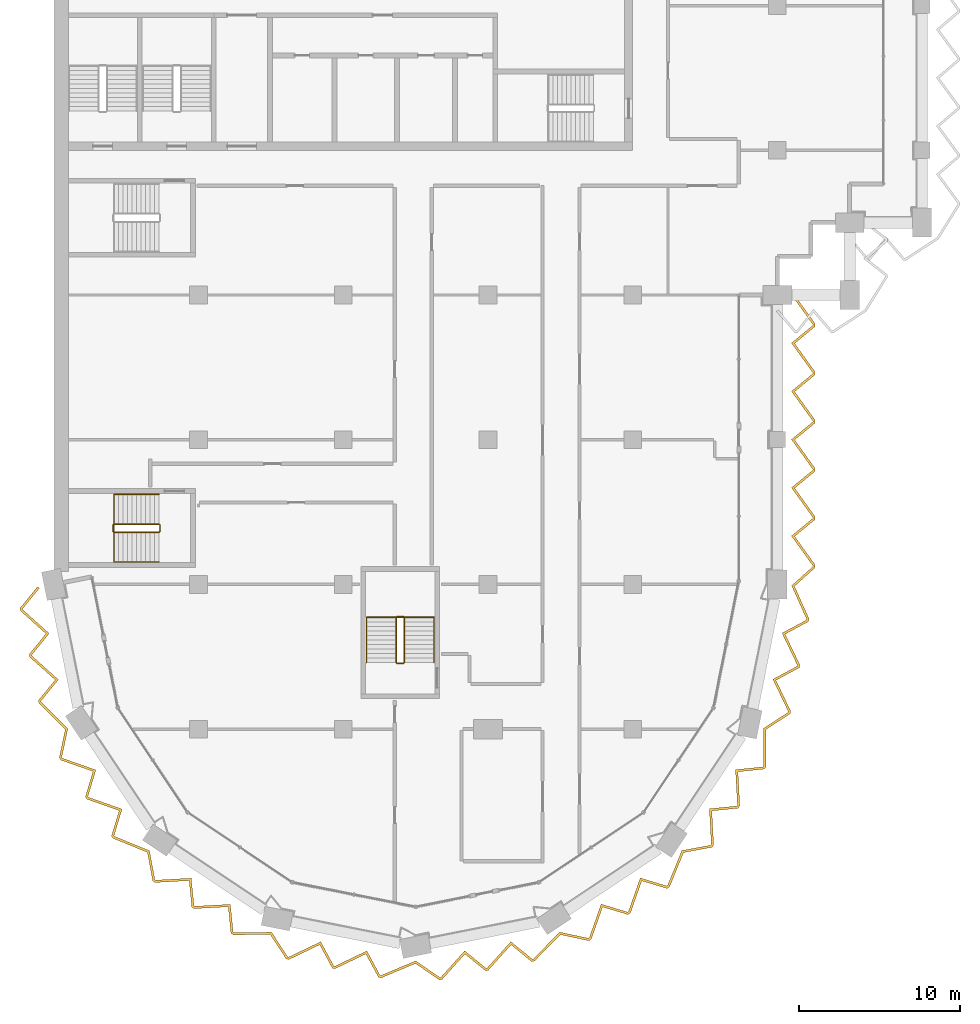
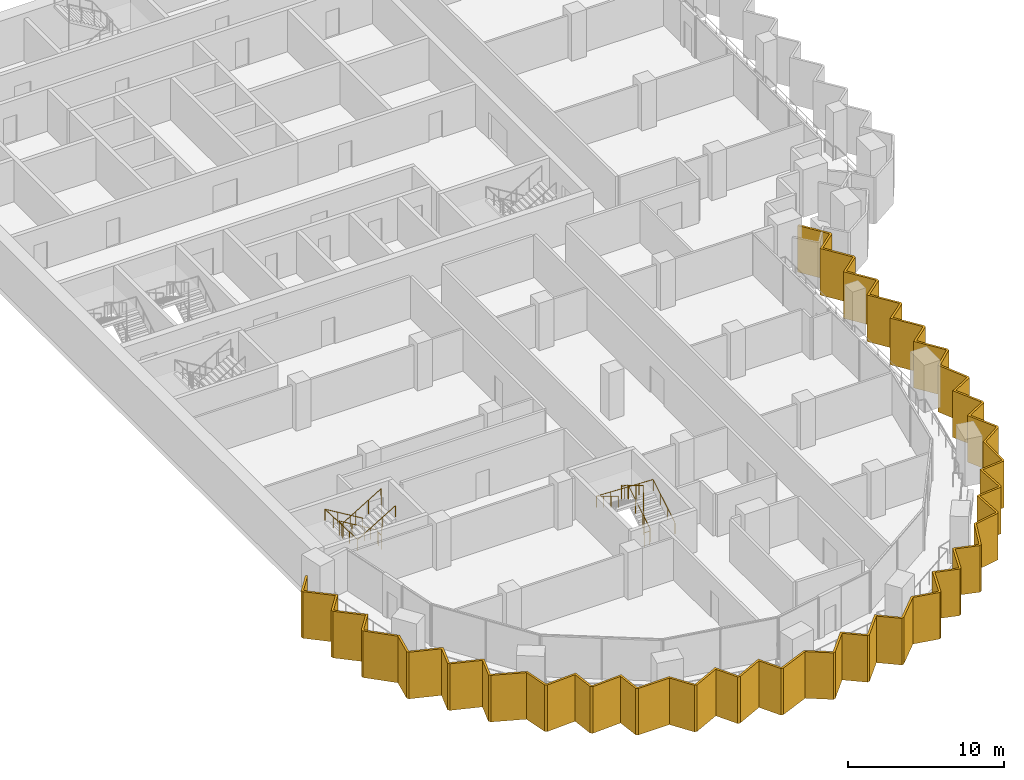
# One storey, part 14 of 17: 4 railings, 1 shading device.
"""IFC4 building model written with IfcOpenShell, lengths in metres."""

from ifc_helpers import new_model, si_unit, direction, frame, origin, origin_2d, place, context, subcontext, project, spatial, polyline, circle, outline, extrude, material, layer, layer_set, type_object, element, save


model = new_model("IFC4")

# Units and contexts
model_context = context("Model", 3, precision=1e-05, world=origin(), true_north=direction((0.0, 1.0)))
body_context = subcontext(model_context, "Body", "Model", "MODEL_VIEW")
ifc_project = project(units=[si_unit("LENGTHUNIT", "METRE"), si_unit("AREAUNIT", "SQUARE_METRE"), si_unit("VOLUMEUNIT", "CUBIC_METRE"), si_unit("PLANEANGLEUNIT", "RADIAN"), si_unit("MASSUNIT", "GRAM", prefix="KILO")], contexts=[model_context])

# Site, building, storey
site_placement = place(None, origin())
site = spatial("IfcSite", under=ifc_project, at=site_placement, CompositionType="ELEMENT")
building_placement = place(site_placement, origin())
building = spatial("IfcBuilding", under=site, at=building_placement, Name="Hunhe Ridgeline Campus", CompositionType="ELEMENT")
storey_placement = place(building_placement, frame((0.0, 0.0, 205.0)))
storey = spatial("IfcBuildingStorey", under=building, at=storey_placement, Name="L52", CompositionType="ELEMENT", Elevation=205.0)

# Shading device
ifc_material_1 = material(Name="Concrete C50", Category="concrete")
ifc_layer = layer(ifc_material_1, 0.14990234375)
ifc_layer_set = layer_set([ifc_layer], Name="Sawtooth concrete fin 150 Concrete C50")
shading_device_type = type_object("IfcShadingDeviceType", Name="Sawtooth concrete fin 150 Concrete C50", PredefinedType="USERDEFINED", material=ifc_layer_set)
shading_device_placement = place(storey_placement, frame((0.0, 0.0, -0.949951171875)))
element("IfcShadingDevice", 1, at=shading_device_placement, inside=storey, type_object=shading_device_type, Name="Concrete fin screen 1", ObjectType="FIN", PredefinedType="USERDEFINED", context=body_context, shape_type="SweptSolid", body=[
    extrude(outline(polyline([(-0.898193359375, 35.762451171875), (-1.014404296875, 35.857177734375), (-2.1025390625, 34.524169921875), (-2.0673828125, 34.347412109375), (-0.48876953125, 32.931640625), (-1.531494140625, 31.654052734375), (-1.496337890625, 31.477294921875), (0.082275390625, 30.0615234375), (-0.960693359375, 28.783935546875), (-0.92578125, 28.609130859375), (0.71240234375, 26.98486328125), (0.337158203125, 25.218505859375), (0.435302734375, 25.071533203125), (2.435302734375, 24.36767578125), (1.960693359375, 22.788330078125), (2.06103515625, 22.638427734375), (4.061279296875, 21.9345703125), (3.586669921875, 20.355224609375), (3.685546875, 20.20703125), (5.82080078125, 19.333251953125), (6.150146484375, 17.557861328125), (6.296875, 17.459716796875), (8.4140625, 17.574951171875), (8.580078125, 15.93408203125), (8.72998046875, 15.833984375), (10.847412109375, 15.948974609375), (11.01318359375, 14.308349609375), (11.16162109375, 14.209228515625), (13.468505859375, 14.218994140625), (14.4521484375, 12.704833984375), (14.625244140625, 12.67041015625), (16.537353515625, 13.5869140625), (17.318603515625, 12.134521484375), (17.495361328125, 12.099365234375), (19.407470703125, 13.01611328125), (20.188720703125, 11.563720703125), (20.363525390625, 11.52880859375), (22.4912109375, 12.4208984375), (23.9794921875, 11.398193359375), (24.152587890625, 11.4326171875), (25.568359375, 13.01123046875), (26.845947265625, 11.968505859375), (27.022705078125, 12.003662109375), (28.4384765625, 13.582275390625), (29.716064453125, 12.539306640625), (29.890869140625, 12.57421875), (31.51513671875, 14.21240234375), (33.281494140625, 13.837158203125), (33.428466796875, 13.935302734375), (34.13232421875, 15.935302734375), (35.711669921875, 15.460693359375), (35.861572265625, 15.56103515625), (36.5654296875, 17.561279296875), (38.144775390625, 17.086669921875), (38.29296875, 17.185546875), (39.166748046875, 19.32080078125), (40.942138671875, 19.650146484375), (41.040283203125, 19.796875), (40.925048828125, 21.9140625), (42.56591796875, 22.080078125), (42.666015625, 22.22998046875), (42.551025390625, 24.347412109375), (44.191650390625, 24.51318359375), (44.290771484375, 24.66162109375), (44.281005859375, 26.968505859375), (45.795166015625, 27.9521484375), (45.82958984375, 28.125244140625), (44.9130859375, 30.037353515625), (46.365478515625, 30.818603515625), (46.400634765625, 30.995361328125), (45.48388671875, 32.907470703125), (46.936279296875, 33.688720703125), (46.97119140625, 33.864501953125), (46.06591796875, 35.884765625), (47.35009765625, 37.0390625), (47.35009765625, 37.216796875), (46.076904296875, 38.98681640625), (47.35009765625, 40.037353515625), (47.35009765625, 40.216796875), (46.076904296875, 41.98681640625), (47.35009765625, 43.037353515625), (47.35009765625, 43.216796875), (46.076904296875, 44.98681640625), (47.35009765625, 46.037353515625), (47.35009765625, 46.216796875), (46.076904296875, 47.98681640625), (47.35009765625, 49.037353515625), (47.35009765625, 49.216796875), (46.076904296875, 50.98681640625), (47.35009765625, 52.037353515625), (47.35009765625, 52.216796875), (46.035888671875, 54.043701171875), (45.9140625, 53.956298828125), (47.199951171875, 52.16845703125), (47.199951171875, 52.10791015625), (45.873046875, 51.01318359375), (47.199951171875, 49.16845703125), (47.199951171875, 49.10791015625), (45.873046875, 48.01318359375), (47.199951171875, 46.16845703125), (47.199951171875, 46.10791015625), (45.873046875, 45.01318359375), (47.199951171875, 43.16845703125), (47.199951171875, 43.10791015625), (45.873046875, 42.01318359375), (47.199951171875, 40.16845703125), (47.199951171875, 40.10791015625), (45.873046875, 39.01318359375), (47.199951171875, 37.16845703125), (47.199951171875, 37.10595703125), (45.88427734375, 35.923095703125), (46.814697265625, 33.846923828125), (46.802978515625, 33.787353515625), (45.286865234375, 32.9716796875), (46.24365234375, 30.975830078125), (46.232177734375, 30.917236328125), (44.7158203125, 30.1015625), (45.6728515625, 28.10546875), (45.660400390625, 28.04345703125), (44.130615234375, 27.0498046875), (44.140625, 24.706787109375), (44.106201171875, 24.655517578125), (42.393310546875, 24.482177734375), (42.513671875, 22.271728515625), (42.48046875, 22.22216796875), (40.767578125, 22.049072265625), (40.8876953125, 19.838623046875), (40.8525390625, 19.785888671875), (39.058837890625, 19.453369140625), (38.171630859375, 17.284912109375), (38.1201171875, 17.25048828125), (36.471435546875, 17.74609375), (35.736572265625, 15.657958984375), (35.68701171875, 15.624755859375), (34.038330078125, 16.120361328125), (33.303466796875, 14.0322265625), (33.250732421875, 13.9970703125), (31.46630859375, 14.376220703125), (29.816650390625, 12.712158203125), (29.756103515625, 12.7001953125), (28.42236328125, 13.788818359375), (26.944580078125, 12.140869140625), (26.885986328125, 12.12939453125), (25.55224609375, 13.218017578125), (24.074462890625, 11.570068359375), (24.01220703125, 11.5576171875), (22.5087890625, 12.5908203125), (20.347900390625, 11.68505859375), (20.287353515625, 11.697021484375), (19.4716796875, 13.213134765625), (17.475830078125, 12.25634765625), (17.417236328125, 12.267822265625), (16.6015625, 13.7841796875), (14.60546875, 12.8271484375), (14.54345703125, 12.839599609375), (13.5498046875, 14.369384765625), (11.206787109375, 14.359375), (11.155517578125, 14.393798828125), (10.982177734375, 16.106689453125), (8.771728515625, 15.986328125), (8.72216796875, 16.01953125), (8.549072265625, 17.732421875), (6.338623046875, 17.6123046875), (6.285888671875, 17.6474609375), (5.953369140625, 19.441162109375), (3.784912109375, 20.328369140625), (3.75048828125, 20.3798828125), (4.24609375, 22.028564453125), (2.157958984375, 22.763427734375), (2.124755859375, 22.81298828125), (2.620361328125, 24.461669921875), (0.5322265625, 25.196533203125), (0.4970703125, 25.249267578125), (0.876220703125, 27.03369140625), (-0.787841796875, 28.683349609375), (-0.7998046875, 28.743896484375), (0.288818359375, 30.07763671875), (-1.359130859375, 31.555419921875), (-1.37060546875, 31.614013671875), (-0.281982421875, 32.94775390625), (-1.929931640625, 34.425537109375), (-1.941650390625, 34.484130859375), (-0.898193359375, 35.762451171875)])), origin(), (0.0, 0.0, 1.0), 3.64990234375),
])

# Railings
ifc_material_2 = material(Name="Stainless steel balustrade", Category="steel")
railing_type_1 = type_object("IfcRailingType", Name="Stair guard 1100 stainless", PredefinedType="GUARDRAIL", material=ifc_material_2)
railing_1_placement = place(storey_placement, frame((21.800048828125, 31.14990234375, 0.168212890625)))
element("IfcRailing", 2, at=railing_1_placement, inside=storey, type_object=railing_type_1, Name="L52 stair W3 guard", PredefinedType="GUARDRAIL", context=body_context, shape_type="SweptSolid", body=[
    extrude(circle(Radius=0.02392578125, at=origin_2d()), frame((0.0, 0.0, 1.076171875), z_axis=(0.0, 0.857242210791, 0.514913383045), x_axis=(-1.0, 0.0, 0.0)), (0.0, 0.0, 1.0), 3.266357421875),
    extrude(circle(Radius=0.02392578125, at=origin_2d()), frame((0.0, 2.800048828125, 2.7578125), z_axis=(-0.707106781187, 0.707106781187, 0.0), x_axis=(-0.707106781187, -0.707106781187, 0.0)), (0.0, 0.0, 1.0), 0.07080078125),
    extrude(circle(Radius=0.02392578125, at=origin_2d()), frame((-0.050048828125, 2.85009765625, 2.7578125), z_axis=(-1.0, 0.0, 0.0), x_axis=(0.0, -1.0, 0.0)), (0.0, 0.0, 1.0), 0.39990234375),
    extrude(circle(Radius=0.02392578125, at=origin_2d()), frame((-0.449951171875, 2.85009765625, 2.7578125), z_axis=(-0.274582412415, -0.274582412415, 0.921525364591), x_axis=(0.707106781187, -0.707106781187, 0.0)), (0.0, 0.0, 1.0), 0.182373046875),
    extrude(circle(Radius=0.02392578125, at=origin_2d()), frame((-0.5, 2.800048828125, 2.92578125), z_axis=(0.0, -0.857242210791, 0.514913383045), x_axis=(1.0, 0.0, 0.0)), (0.0, 0.0, 1.0), 3.266357421875),
    extrude(circle(Radius=0.02392578125, at=origin_2d()), frame((-0.5, 0.0, 4.60791015625), z_axis=(0.013524426427, -0.013458453615, -0.999817963389), x_axis=(0.705375805398, 0.708833529934, 0.0)), (0.0, 0.0, 1.0), 3.70068359375),
    extrude(circle(Radius=0.02392578125, at=origin_2d()), frame((-0.449951171875, -0.0498046875, 0.90771484375), z_axis=(1.0, 0.0, 0.0), x_axis=(0.0, 1.0, 0.0)), (0.0, 0.0, 1.0), 0.39990234375),
    extrude(circle(Radius=0.02099609375, at=origin_2d()), origin(), (0.0, 0.0, 1.0), 1.052001953125),
    extrude(circle(Radius=0.02099609375, at=origin_2d()), frame((0.0, 0.933349609375, 0.560546875)), (0.0, 0.0, 1.0), 1.052001953125),
    extrude(circle(Radius=0.02099609375, at=origin_2d()), frame((0.0, 1.86669921875, 1.121337890625)), (0.0, 0.0, 1.0), 1.052001953125),
    extrude(circle(Radius=0.02099609375, at=origin_2d()), frame((0.0, 2.800048828125, 1.681884765625)), (0.0, 0.0, 1.0), 1.052001953125),
    extrude(circle(Radius=0.02099609375, at=origin_2d()), frame((-0.050048828125, 2.85009765625, 1.681884765625)), (0.0, 0.0, 1.0), 1.052001953125),
    extrude(circle(Radius=0.02099609375, at=origin_2d()), frame((-0.449951171875, 2.85009765625, 1.681884765625)), (0.0, 0.0, 1.0), 1.052001953125),
    extrude(circle(Radius=0.02099609375, at=origin_2d()), frame((-0.5, 2.800048828125, 1.849853515625)), (0.0, 0.0, 1.0), 1.052001953125),
    extrude(circle(Radius=0.02099609375, at=origin_2d()), frame((-0.5, 1.86669921875, 2.410400390625)), (0.0, 0.0, 1.0), 1.052001953125),
    extrude(circle(Radius=0.02099609375, at=origin_2d()), frame((-0.5, 0.933349609375, 2.97119140625)), (0.0, 0.0, 1.0), 1.052001953125),
    extrude(circle(Radius=0.02099609375, at=origin_2d()), frame((-0.5, 0.0, 3.53173828125)), (0.0, 0.0, 1.0), 1.052001953125),
    extrude(circle(Radius=0.02099609375, at=origin_2d()), frame((-0.487548828125, -0.012451171875, 2.606689453125)), (0.0, 0.0, 1.0), 1.052001953125),
    extrude(circle(Radius=0.02099609375, at=origin_2d()), frame((-0.47509765625, -0.02490234375, 1.681640625)), (0.0, 0.0, 1.0), 1.052001953125),
    extrude(circle(Radius=0.02099609375, at=origin_2d()), frame((-0.46240234375, -0.037353515625, 0.7568359375)), (0.0, 0.0, 1.0), 1.052001953125),
    extrude(circle(Radius=0.02099609375, at=origin_2d()), frame((-0.449951171875, -0.0498046875, -0.168212890625)), (0.0, 0.0, 1.0), 1.052001953125),
    extrude(circle(Radius=0.02099609375, at=origin_2d()), frame((-0.050048828125, -0.0498046875, -0.168212890625)), (0.0, 0.0, 1.0), 1.052001953125),
])
railing_2_placement = place(storey_placement, frame((6.550048828125, 39.75, 0.168212890625)))
element("IfcRailing", 3, at=railing_2_placement, inside=storey, type_object=railing_type_1, Name="L52 stair W1 guard", PredefinedType="GUARDRAIL", context=body_context, shape_type="SweptSolid", body=[
    extrude(circle(Radius=0.02392578125, at=origin_2d()), frame((0.0, 0.0, 1.076171875), z_axis=(-0.857242210791, 0.0, 0.514913383045), x_axis=(0.0, -1.0, 0.0)), (0.0, 0.0, 1.0), 3.266357421875),
    extrude(circle(Radius=0.02392578125, at=origin_2d()), frame((-2.800048828125, 0.0, 2.7578125), z_axis=(-0.707106781187, -0.707106781187, 0.0), x_axis=(0.707106781187, -0.707106781187, 0.0)), (0.0, 0.0, 1.0), 0.07080078125),
    extrude(circle(Radius=0.02392578125, at=origin_2d()), frame((-2.85009765625, -0.050048828125, 2.7578125), z_axis=(0.0, -1.0, 0.0), x_axis=(1.0, 0.0, 0.0)), (0.0, 0.0, 1.0), 0.39990234375),
    extrude(circle(Radius=0.02392578125, at=origin_2d()), frame((-2.85009765625, -0.449951171875, 2.7578125), z_axis=(0.274582412415, -0.274582412415, 0.921525364591), x_axis=(0.707106781187, 0.707106781187, 0.0)), (0.0, 0.0, 1.0), 0.182373046875),
    extrude(circle(Radius=0.02392578125, at=origin_2d()), frame((-2.800048828125, -0.5, 2.92578125), z_axis=(0.857242210791, 0.0, 0.514913383045), x_axis=(0.0, 1.0, 0.0)), (0.0, 0.0, 1.0), 3.266357421875),
    extrude(circle(Radius=0.02392578125, at=origin_2d()), frame((0.0, -0.5, 4.60791015625), z_axis=(0.013524414389, 0.013524414389, -0.999817073484), x_axis=(-0.707106781187, 0.707106781187, 0.0)), (0.0, 0.0, 1.0), 3.70068359375),
    extrude(circle(Radius=0.02392578125, at=origin_2d()), frame((0.050048828125, -0.449951171875, 0.90771484375), z_axis=(0.0, 1.0, 0.0), x_axis=(-1.0, 0.0, 0.0)), (0.0, 0.0, 1.0), 0.39990234375),
    extrude(circle(Radius=0.02099609375, at=origin_2d()), origin(), (0.0, 0.0, 1.0), 1.052001953125),
    extrude(circle(Radius=0.02099609375, at=origin_2d()), frame((-0.933349609375, 0.0, 0.560546875)), (0.0, 0.0, 1.0), 1.052001953125),
    extrude(circle(Radius=0.02099609375, at=origin_2d()), frame((-1.86669921875, 0.0, 1.121337890625)), (0.0, 0.0, 1.0), 1.052001953125),
    extrude(circle(Radius=0.02099609375, at=origin_2d()), frame((-2.800048828125, 0.0, 1.681884765625)), (0.0, 0.0, 1.0), 1.052001953125),
    extrude(circle(Radius=0.02099609375, at=origin_2d()), frame((-2.85009765625, -0.050048828125, 1.681884765625)), (0.0, 0.0, 1.0), 1.052001953125),
    extrude(circle(Radius=0.02099609375, at=origin_2d()), frame((-2.85009765625, -0.449951171875, 1.681884765625)), (0.0, 0.0, 1.0), 1.052001953125),
    extrude(circle(Radius=0.02099609375, at=origin_2d()), frame((-2.800048828125, -0.5, 1.849853515625)), (0.0, 0.0, 1.0), 1.052001953125),
    extrude(circle(Radius=0.02099609375, at=origin_2d()), frame((-1.86669921875, -0.5, 2.410400390625)), (0.0, 0.0, 1.0), 1.052001953125),
    extrude(circle(Radius=0.02099609375, at=origin_2d()), frame((-0.933349609375, -0.5, 2.97119140625)), (0.0, 0.0, 1.0), 1.052001953125),
    extrude(circle(Radius=0.02099609375, at=origin_2d()), frame((0.0, -0.5, 3.53173828125)), (0.0, 0.0, 1.0), 1.052001953125),
    extrude(circle(Radius=0.02099609375, at=origin_2d()), frame((0.012451171875, -0.487548828125, 2.606689453125)), (0.0, 0.0, 1.0), 1.052001953125),
    extrude(circle(Radius=0.02099609375, at=origin_2d()), frame((0.02490234375, -0.47509765625, 1.681640625)), (0.0, 0.0, 1.0), 1.052001953125),
    extrude(circle(Radius=0.02099609375, at=origin_2d()), frame((0.03759765625, -0.46240234375, 0.7568359375)), (0.0, 0.0, 1.0), 1.052001953125),
    extrude(circle(Radius=0.02099609375, at=origin_2d()), frame((0.050048828125, -0.449951171875, -0.168212890625)), (0.0, 0.0, 1.0), 1.052001953125),
    extrude(circle(Radius=0.02099609375, at=origin_2d()), frame((0.050048828125, -0.050048828125, -0.168212890625)), (0.0, 0.0, 1.0), 1.052001953125),
])
ifc_material_3 = material(Name="Stainless steel handrail", Category="steel")
railing_type_2 = type_object("IfcRailingType", Name="Stair handrail 900 stainless", PredefinedType="HANDRAIL", material=ifc_material_3)
railing_3_placement = place(storey_placement, frame((23.64990234375, 31.14990234375, 0.168212890625)))
element("IfcRailing", 4, at=railing_3_placement, inside=storey, type_object=railing_type_2, Name="L52 stair W3 handrail", PredefinedType="HANDRAIL", context=body_context, shape_type="SweptSolid", body=[
    extrude(circle(Radius=0.02392578125, at=origin_2d()), frame((0.0, 0.0, 0.8759765625), z_axis=(0.0, 0.857242210791, 0.514913383045), x_axis=(-1.0, 0.0, 0.0)), (0.0, 0.0, 1.0), 3.266357421875),
    extrude(circle(Radius=0.02392578125, at=origin_2d()), frame((0.0, 2.800048828125, 2.5576171875), z_axis=(-0.99920123705, 0.0, 0.039961079526), x_axis=(0.0, -1.0, 0.0)), (0.0, 0.0, 1.0), 4.203369140625),
    extrude(circle(Radius=0.02392578125, at=origin_2d()), frame((-4.199951171875, 2.800048828125, 2.7255859375), z_axis=(0.0, -0.857242210791, 0.514913383045), x_axis=(1.0, 0.0, 0.0)), (0.0, 0.0, 1.0), 3.266357421875),
    extrude(circle(Radius=0.02099609375, at=origin_2d()), origin(), (0.0, 0.0, 1.0), 0.851806640625),
    extrude(circle(Radius=0.02099609375, at=origin_2d()), frame((0.0, 0.933349609375, 0.560546875)), (0.0, 0.0, 1.0), 0.851806640625),
    extrude(circle(Radius=0.02099609375, at=origin_2d()), frame((0.0, 1.86669921875, 1.121337890625)), (0.0, 0.0, 1.0), 0.851806640625),
    extrude(circle(Radius=0.02099609375, at=origin_2d()), frame((0.0, 2.800048828125, 1.681884765625)), (0.0, 0.0, 1.0), 0.851806640625),
    extrude(circle(Radius=0.02099609375, at=origin_2d()), frame((-1.050048828125, 2.800048828125, 1.723876953125)), (0.0, 0.0, 1.0), 0.851806640625),
    extrude(circle(Radius=0.02099609375, at=origin_2d()), frame((-2.10009765625, 2.800048828125, 1.765869140625)), (0.0, 0.0, 1.0), 0.851806640625),
    extrude(circle(Radius=0.02099609375, at=origin_2d()), frame((-3.14990234375, 2.800048828125, 1.807861328125)), (0.0, 0.0, 1.0), 0.851806640625),
    extrude(circle(Radius=0.02099609375, at=origin_2d()), frame((-4.199951171875, 2.800048828125, 1.849853515625)), (0.0, 0.0, 1.0), 0.851806640625),
    extrude(circle(Radius=0.02099609375, at=origin_2d()), frame((-4.199951171875, 1.86669921875, 2.410400390625)), (0.0, 0.0, 1.0), 0.851806640625),
    extrude(circle(Radius=0.02099609375, at=origin_2d()), frame((-4.199951171875, 0.933349609375, 2.97119140625)), (0.0, 0.0, 1.0), 0.851806640625),
    extrude(circle(Radius=0.02099609375, at=origin_2d()), frame((-4.199951171875, 0.0, 3.53173828125)), (0.0, 0.0, 1.0), 0.851806640625),
])
railing_4_placement = place(storey_placement, frame((6.550048828125, 41.60009765625, 0.168212890625)))
element("IfcRailing", 5, at=railing_4_placement, inside=storey, type_object=railing_type_2, Name="L52 stair W1 handrail", PredefinedType="HANDRAIL", context=body_context, shape_type="SweptSolid", body=[
    extrude(circle(Radius=0.02392578125, at=origin_2d()), frame((0.0, 0.0, 0.8759765625), z_axis=(-0.857242210791, 0.0, 0.514913383045), x_axis=(0.0, -1.0, 0.0)), (0.0, 0.0, 1.0), 3.266357421875),
    extrude(circle(Radius=0.02392578125, at=origin_2d()), frame((-2.800048828125, 0.0, 2.5576171875), z_axis=(0.0, -0.999201329794, 0.039958760457), x_axis=(1.0, 0.0, 0.0)), (0.0, 0.0, 1.0), 4.20361328125),
    extrude(circle(Radius=0.02392578125, at=origin_2d()), frame((-2.800048828125, -4.2001953125, 2.7255859375), z_axis=(0.857242210791, 0.0, 0.514913383045), x_axis=(0.0, 1.0, 0.0)), (0.0, 0.0, 1.0), 3.266357421875),
    extrude(circle(Radius=0.02099609375, at=origin_2d()), origin(), (0.0, 0.0, 1.0), 0.851806640625),
    extrude(circle(Radius=0.02099609375, at=origin_2d()), frame((-0.933349609375, 0.0, 0.560546875)), (0.0, 0.0, 1.0), 0.851806640625),
    extrude(circle(Radius=0.02099609375, at=origin_2d()), frame((-1.86669921875, 0.0, 1.121337890625)), (0.0, 0.0, 1.0), 0.851806640625),
    extrude(circle(Radius=0.02099609375, at=origin_2d()), frame((-2.800048828125, 0.0, 1.681884765625)), (0.0, 0.0, 1.0), 0.851806640625),
    extrude(circle(Radius=0.02099609375, at=origin_2d()), frame((-2.800048828125, -1.050048828125, 1.723876953125)), (0.0, 0.0, 1.0), 0.851806640625),
    extrude(circle(Radius=0.02099609375, at=origin_2d()), frame((-2.800048828125, -2.10009765625, 1.765869140625)), (0.0, 0.0, 1.0), 0.851806640625),
    extrude(circle(Radius=0.02099609375, at=origin_2d()), frame((-2.800048828125, -3.150146484375, 1.807861328125)), (0.0, 0.0, 1.0), 0.851806640625),
    extrude(circle(Radius=0.02099609375, at=origin_2d()), frame((-2.800048828125, -4.2001953125, 1.849853515625)), (0.0, 0.0, 1.0), 0.851806640625),
    extrude(circle(Radius=0.02099609375, at=origin_2d()), frame((-1.86669921875, -4.2001953125, 2.410400390625)), (0.0, 0.0, 1.0), 0.851806640625),
    extrude(circle(Radius=0.02099609375, at=origin_2d()), frame((-0.933349609375, -4.2001953125, 2.97119140625)), (0.0, 0.0, 1.0), 0.851806640625),
    extrude(circle(Radius=0.02099609375, at=origin_2d()), frame((0.0, -4.2001953125, 3.53173828125)), (0.0, 0.0, 1.0), 0.851806640625),
])

save(model, "model.ifc")
